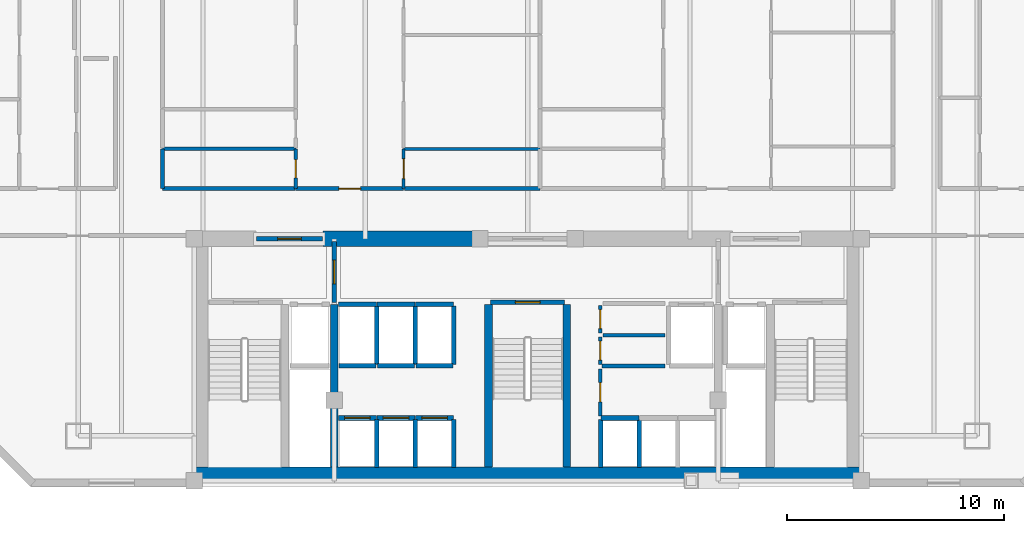
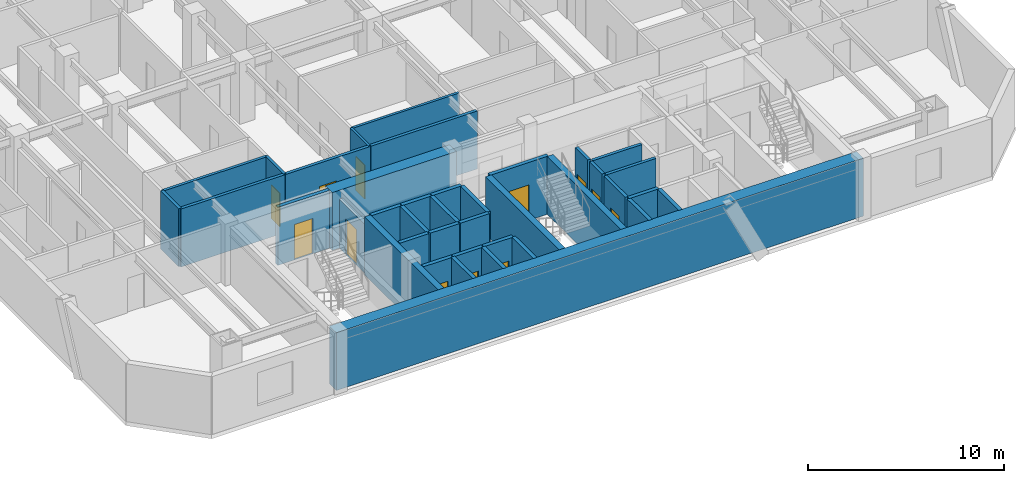
# One storey, part 3 of 10: 39 walls, 12 doors, 12 openings.
"""IFC4 building model written with IfcOpenShell, lengths in metres."""

from ifc_helpers import new_model, si_unit, direction, frame, frame_2d, origin, place, context, subcontext, project, spatial, rectangle, extrude, material, layer, layer_set, type_object, element, fill, save


model = new_model("IFC4")

# Units and contexts
model_context = context("Model", 3, precision=1e-05, world=origin(), true_north=direction((0.0, 1.0)))
body_context = subcontext(model_context, "Body", "Model", "MODEL_VIEW")
ifc_project = project(units=[si_unit("LENGTHUNIT", "METRE"), si_unit("AREAUNIT", "SQUARE_METRE"), si_unit("VOLUMEUNIT", "CUBIC_METRE"), si_unit("PLANEANGLEUNIT", "RADIAN"), si_unit("MASSUNIT", "GRAM", prefix="KILO")], contexts=[model_context])

# Site, building, storey
site_placement = place(None, origin())
site = spatial("IfcSite", under=ifc_project, at=site_placement, CompositionType="ELEMENT")
building_placement = place(site_placement, origin())
building = spatial("IfcBuilding", under=site, at=building_placement, Name="Ventersveld Concourse Tower", CompositionType="ELEMENT")
storey_placement = place(building_placement, frame((0.0, 0.0, 104.14990234375)))
storey = spatial("IfcBuildingStorey", under=building, at=storey_placement, Name="L25", CompositionType="ELEMENT", Elevation=104.14990234375)

# Walls
ifc_material_1 = material(Name="Concrete C60/75", Category="concrete")
ifc_layer_1 = layer(ifc_material_1, 0.35009765625)
ifc_layer_set_1 = layer_set([ifc_layer_1], Name="Concrete C60/75")
wall_type_1 = type_object("IfcWallType", Name="WL-CORE-350L", PredefinedType="SHEAR", material=ifc_layer_set_1)
for number, where, z_axis, x_axis, name in (
    (1, (19.820068359375, 0.919921875, 0.0), (0.0, 0.0, 1.0), (0.0, 1.0, 0.0), "L25 Core Internal Shear Web W-FF1-E"),
    (2, (26.93994140625, 0.919921875, 0.0), (0.0, 0.0, 1.0), (0.0, 1.0, 0.0), "L25 Core Internal Shear Web W-ST3-W"),
    (3, (30.56005859375, 0.919921875, 0.0), (0.0, 0.0, 1.0), (0.0, 1.0, 0.0), "L25 Core Internal Shear Web W-ST3-E"),
):
    element("IfcWall", number, at=place(storey_placement, frame(where, z_axis=z_axis, x_axis=x_axis)), inside=storey, type_object=wall_type_1, Name=name, PredefinedType="SHEAR", context=body_context, shape_type="SweptSolid", body=[
        extrude(rectangle(XDim=7.5, YDim=0.35009765625, at=frame_2d((3.75, 0.0))), origin(), (0.0, 0.0, 1.0), 3.60009765625),
    ])
ifc_layer_2 = layer(ifc_material_1, 0.699951171875)
ifc_layer_set_2 = layer_set([ifc_layer_2], Name="Concrete C60/75")
wall_type_2 = type_object("IfcWallType", Name="WL-CORE-700", PredefinedType="SHEAR", material=ifc_layer_set_2)
wall_1_placement = place(storey_placement, frame((13.25, 0.570068359375, 0.0), z_axis=(0.0, 0.0, 1.0), x_axis=(1.0, 0.0, 0.0)))
element("IfcWall", 4, at=wall_1_placement, inside=storey, type_object=wall_type_2, Name="L25 Rear Core South Shear Wall", PredefinedType="SHEAR", context=body_context, shape_type="SweptSolid", body=[
    extrude(rectangle(XDim=31.0, YDim=0.699951171875, at=frame_2d((15.5, 0.0))), origin(), (0.0, 0.0, 1.0), 3.60009765625),
])
wall_2_placement = place(storey_placement, frame((19.300048828125, 11.449951171875, 0.0), z_axis=(0.0, 0.0, 1.0), x_axis=(1.0, 0.0, 0.0)))
element("IfcWall", 5, at=wall_2_placement, inside=storey, type_object=wall_type_2, Name="L25 Rear Core North Shear Wall NML", PredefinedType="SHEAR", context=body_context, shape_type="SweptSolid", body=[
    extrude(rectangle(XDim=7.300048828125, YDim=0.699951171875, at=frame_2d((3.64990234375, 0.0))), origin(), (0.0, 0.0, 1.0), 3.60009765625),
])

# Wall, opening, door
ifc_material_2 = material(Name="Fire-rated autoclaved aerated masonry blockwork", Category="masonry")
ifc_layer_3 = layer(ifc_material_2, 0.179931640625)
ifc_layer_set_3 = layer_set([ifc_layer_3], Name="Fire-rated autoclaved aerated masonry blockwork")
wall_type_3 = type_object("IfcWallType", Name="WL-CORR-180", PredefinedType="PARTITIONING", material=ifc_layer_set_3)
wall_3_placement = place(storey_placement, frame((32.10009765625, 5.64990234375, 0.0), z_axis=(0.0, 0.0, 1.0), x_axis=(0.0, 1.0, 0.0)))
wall_3 = element("IfcWall", 6, at=wall_3_placement, inside=storey, type_object=wall_type_3, Name="L25 Core Passage Wall SP-L25-CBAY1S", PredefinedType="PARTITIONING", context=body_context, shape_type="SweptSolid", body=[
    extrude(rectangle(XDim=1.27001953125, YDim=0.179931640625, at=frame_2d((0.635009765625, 0.0))), origin(), (0.0, 0.0, 1.0), 3.60009765625),
])
opening_1_placement = place(wall_3_placement, frame((0.195068359375, 0.0, 0.0)))
opening_1 = element("IfcOpeningElement", 7, at=opening_1_placement, cuts=wall_3, Name="Opening FD5", PredefinedType="OPENING", context=body_context, shape_type="SweptSolid", body=[
    extrude(rectangle(XDim=0.8798828125, YDim=2.050048828125, at=frame_2d((0.43994140625, 1.02490234375))), frame((0.0, 0.10009765625, 0.0), z_axis=(0.0, -1.0, 0.0), x_axis=(1.0, 0.0, 0.0)), (0.0, 0.0, 1.0), 0.199951171875),
])
ifc_material_3 = material(Name="Galvanised painted steel", Category="steel")
door_type_1 = type_object("IfcDoorType", Name="DR-RISER-088", OperationType="NOTDEFINED", PredefinedType="DOOR", material=ifc_material_3)
door_1_placement = place(opening_1_placement, origin())
door_1 = element("IfcDoor", 8, at=door_1_placement, inside=storey, type_object=door_type_1, Name="L25 Core Room Door L25 Core Cleaner Store (CD-L25-1217)", OperationType="SINGLE_SWING_RIGHT", OverallHeight=2.050048828125, OverallWidth=0.8798828125, PredefinedType="DOOR", context=body_context, shape_type="SweptSolid", body=[
    extrude(rectangle(XDim=0.8798828125, YDim=2.050048828125, at=frame_2d((0.43994140625, 1.02490234375))), frame((0.0, 0.02490234375, 0.0), z_axis=(0.0, -1.0, 0.0), x_axis=(1.0, 0.0, 0.0)), (0.0, 0.0, 1.0), 0.050048828125),
])
fill(opening_1, door_1)

# Walls
wall_4_placement = place(storey_placement, frame((32.219970703125, 7.0, 0.0), z_axis=(0.0, 0.0, 1.0), x_axis=(1.0, 0.0, 0.0)))
element("IfcWall", 9, at=wall_4_placement, inside=storey, type_object=wall_type_3, Name="L25 Core Top Wall SP-L25-CBAY1S", PredefinedType="PARTITIONING", context=body_context, shape_type="SweptSolid", body=[
    extrude(rectangle(XDim=2.880126953125, YDim=0.179931640625, at=frame_2d((1.43994140625, 0.0))), origin(), (0.0, 0.0, 1.0), 3.60009765625),
])
wall_5_placement = place(storey_placement, frame((32.179931640625, 5.570068359375, 0.0), z_axis=(0.0, 0.0, 1.0), x_axis=(1.0, 0.0, 0.0)))
element("IfcWall", 10, at=wall_5_placement, inside=storey, type_object=wall_type_3, Name="L25 Core Bot Wall SP-L25-CBAY1S", PredefinedType="PARTITIONING", context=body_context, shape_type="SweptSolid", body=[
    extrude(rectangle(XDim=2.920166015625, YDim=0.179931640625, at=frame_2d((1.4599609375, 0.0))), origin(), (0.0, 0.0, 1.0), 3.60009765625),
])

# Wall, opening, door
wall_6_placement = place(storey_placement, frame((32.10009765625, 7.10009765625, 0.0), z_axis=(0.0, 0.0, 1.0), x_axis=(0.0, 1.0, 0.0)))
wall_6 = element("IfcWall", 11, at=wall_6_placement, inside=storey, type_object=wall_type_3, Name="L25 Core Passage Wall SP-L25-CBAY1N", PredefinedType="PARTITIONING", context=body_context, shape_type="SweptSolid", body=[
    extrude(rectangle(XDim=1.27978515625, YDim=0.179931640625, at=frame_2d((0.639892578125, 0.0))), origin(), (0.0, 0.0, 1.0), 3.60009765625),
])
opening_2_placement = place(wall_6_placement, frame((0.199951171875, 0.0, 0.0)))
opening_2 = element("IfcOpeningElement", 12, at=opening_2_placement, cuts=wall_6, Name="Opening FD5", PredefinedType="OPENING", context=body_context, shape_type="SweptSolid", body=[
    extrude(rectangle(XDim=0.8798828125, YDim=2.050048828125, at=frame_2d((0.43994140625, 1.02490234375))), frame((0.0, 0.10009765625, 0.0), z_axis=(0.0, -1.0, 0.0), x_axis=(1.0, 0.0, 0.0)), (0.0, 0.0, 1.0), 0.199951171875),
])
door_2_placement = place(opening_2_placement, origin())
door_2 = element("IfcDoor", 13, at=door_2_placement, inside=storey, type_object=door_type_1, Name="L25 Core Room Door L25 Core Concierge Desk Room (CD-L25-1218)", OperationType="SINGLE_SWING_LEFT", OverallHeight=2.050048828125, OverallWidth=0.8798828125, PredefinedType="DOOR", context=body_context, shape_type="SweptSolid", body=[
    extrude(rectangle(XDim=0.8798828125, YDim=2.050048828125, at=frame_2d((0.43994140625, 1.02490234375))), frame((0.0, 0.02490234375, 0.0), z_axis=(0.0, -1.0, 0.0), x_axis=(1.0, 0.0, 0.0)), (0.0, 0.0, 1.0), 0.050048828125),
])
fill(opening_2, door_2)

wall_7_placement = place(storey_placement, frame((32.10009765625, 3.280029296875, 0.0), z_axis=(0.0, 0.0, 1.0), x_axis=(0.0, 1.0, 0.0)))
wall_7 = element("IfcWall", 14, at=wall_7_placement, inside=storey, type_object=wall_type_3, Name="L25 Core Passage Wall SP-L25-CBAY2", PredefinedType="PARTITIONING", context=body_context, shape_type="SweptSolid", body=[
    extrude(rectangle(XDim=2.169921875, YDim=0.179931640625, at=frame_2d((1.0849609375, 0.0))), origin(), (0.0, 0.0, 1.0), 3.60009765625),
])
opening_3_placement = place(wall_7_placement, frame((0.64501953125, 0.0, 0.0)))
opening_3 = element("IfcOpeningElement", 15, at=opening_3_placement, cuts=wall_7, Name="Opening FD5", PredefinedType="OPENING", context=body_context, shape_type="SweptSolid", body=[
    extrude(rectangle(XDim=0.8798828125, YDim=2.050048828125, at=frame_2d((0.43994140625, 1.02490234375))), frame((0.0, 0.10009765625, 0.0), z_axis=(0.0, -1.0, 0.0), x_axis=(1.0, 0.0, 0.0)), (0.0, 0.0, 1.0), 0.199951171875),
])
door_3_placement = place(opening_3_placement, origin())
door_3 = element("IfcDoor", 16, at=door_3_placement, inside=storey, type_object=door_type_1, Name="L25 Core Room Door L25 Core Linen Alcove Store (CD-L25-1219)", OperationType="SINGLE_SWING_RIGHT", OverallHeight=2.050048828125, OverallWidth=0.8798828125, PredefinedType="DOOR", context=body_context, shape_type="SweptSolid", body=[
    extrude(rectangle(XDim=0.8798828125, YDim=2.050048828125, at=frame_2d((0.43994140625, 1.02490234375))), frame((0.0, 0.02490234375, 0.0), z_axis=(0.0, -1.0, 0.0), x_axis=(1.0, 0.0, 0.0)), (0.0, 0.0, 1.0), 0.050048828125),
])
fill(opening_3, door_3)

wall_8_placement = place(storey_placement, frame((18.035400390625, 13.77001953125, 0.0), z_axis=(0.0, 0.0, 1.0), x_axis=(1.0, 0.0, 0.0)))
wall_8 = element("IfcWall", 17, at=wall_8_placement, inside=storey, type_object=wall_type_3, Name="L25 Interior Partition SP-L25-COR-SP-L25-25N1-FOY", PredefinedType="PARTITIONING", context=body_context, shape_type="SweptSolid", body=[
    extrude(rectangle(XDim=4.989990234375, YDim=0.179931640625, at=frame_2d((2.4951171875, 0.0))), origin(), (0.0, 0.0, 1.0), 3.60009765625),
])
opening_4_placement = place(wall_8_placement, frame((1.9951171875, 0.0, 0.0)))
opening_4 = element("IfcOpeningElement", 18, at=opening_4_placement, cuts=wall_8, Name="Opening FD3", PredefinedType="OPENING", context=body_context, shape_type="SweptSolid", body=[
    extrude(rectangle(XDim=1.0, YDim=2.14990234375, at=frame_2d((0.5, 1.074951171875))), frame((0.0, 0.10009765625, 0.0), z_axis=(0.0, -1.0, 0.0), x_axis=(1.0, 0.0, 0.0)), (0.0, 0.0, 1.0), 0.199951171875),
])
ifc_material_4 = material(Name="Solid-core hardwood veneer timber", Category="wood")
door_type_2 = type_object("IfcDoorType", Name="DR-FLAT-100", OperationType="NOTDEFINED", PredefinedType="DOOR", material=ifc_material_4)
door_4_placement = place(opening_4_placement, origin())
door_4 = element("IfcDoor", 19, at=door_4_placement, inside=storey, type_object=door_type_2, Name="L25 Interior Door SP-L25-COR to SP-L25-25N1-FOY (FD-L25-1224)", OperationType="SINGLE_SWING_RIGHT", OverallHeight=2.14990234375, OverallWidth=1.0, PredefinedType="DOOR", context=body_context, shape_type="SweptSolid", body=[
    extrude(rectangle(XDim=1.0, YDim=2.14990234375, at=frame_2d((0.5, 1.074951171875))), frame((0.0, 0.02490234375, 0.0), z_axis=(0.0, -1.0, 0.0), x_axis=(1.0, 0.0, 0.0)), (0.0, 0.0, 1.0), 0.050048828125),
])
fill(opening_4, door_4)

# Walls
wall_9_placement = place(storey_placement, frame((11.885009765625, 13.77001953125, 0.0), z_axis=(0.0, 0.0, 1.0), x_axis=(1.0, 0.0, 0.0)))
element("IfcWall", 20, at=wall_9_placement, inside=storey, type_object=wall_type_3, Name="L25 Interior Partition SP-L25-COR-SP-L25-25N1-BATH", PredefinedType="PARTITIONING", context=body_context, shape_type="SweptSolid", body=[
    extrude(rectangle(XDim=6.120361328125, YDim=0.179931640625, at=frame_2d((3.06005859375, 0.0))), origin(), (0.0, 0.0, 1.0), 3.60009765625),
])
wall_10_placement = place(storey_placement, frame((11.889892578125, 13.764892578125, 0.0), z_axis=(0.0, 0.0, 1.0), x_axis=(0.0, 1.0, 0.0)))
element("IfcWall", 21, at=wall_10_placement, inside=storey, type_object=wall_type_3, Name="L25 Interior Partition SP-L25-COR-SP-L25-25N1-BATH", PredefinedType="PARTITIONING", context=body_context, shape_type="SweptSolid", body=[
    extrude(rectangle(XDim=1.840087890625, YDim=0.179931640625, at=frame_2d((0.919921875, 0.0))), origin(), (0.0, 0.0, 1.0), 3.60009765625),
])
wall_11_placement = place(storey_placement, frame((23.055419921875, 13.77001953125, 0.0), z_axis=(0.0, 0.0, 1.0), x_axis=(1.0, 0.0, 0.0)))
element("IfcWall", 22, at=wall_11_placement, inside=storey, type_object=wall_type_3, Name="L25 Interior Partition SP-L25-COR-SP-L25-25N1-KIT", PredefinedType="PARTITIONING", context=body_context, shape_type="SweptSolid", body=[
    extrude(rectangle(XDim=6.263671875, YDim=0.179931640625, at=frame_2d((3.1318359375, 0.0))), origin(), (0.0, 0.0, 1.0), 3.60009765625),
])
ifc_layer_4 = layer(ifc_material_2, 0.219970703125)
ifc_layer_set_4 = layer_set([ifc_layer_4], Name="Fire-rated autoclaved aerated masonry blockwork")
wall_type_4 = type_object("IfcWallType", Name="WL-HOIST-220", PredefinedType="SOLIDWALL", material=ifc_layer_set_4)
wall_12_placement = place(storey_placement, frame((21.780029296875, 0.89990234375, 0.0), z_axis=(0.0, 0.0, 1.0), x_axis=(0.0, 1.0, 0.0)))
element("IfcWall", 23, at=wall_12_placement, inside=storey, type_object=wall_type_4, Name="L25 Lift Hoistway Side Wall PL-01E", PredefinedType="SOLIDWALL", context=body_context, shape_type="SweptSolid", body=[
    extrude(rectangle(XDim=2.2001953125, YDim=0.219970703125, at=frame_2d((1.10009765625, 0.0))), origin(), (0.0, 0.0, 1.0), 3.60009765625),
])

# Wall, opening, door
wall_13_placement = place(storey_placement, frame((20.02001953125, 3.179931640625, 0.0), z_axis=(0.0, 0.0, 1.0), x_axis=(1.0, 0.0, 0.0)))
wall_13 = element("IfcWall", 24, at=wall_13_placement, inside=storey, type_object=wall_type_4, Name="L25 Lift Hoistway Front Wall PL-01", PredefinedType="SOLIDWALL", context=body_context, shape_type="SweptSolid", body=[
    extrude(rectangle(XDim=1.739990234375, YDim=0.219970703125, at=frame_2d((0.8701171875, 0.0))), origin(), (0.0, 0.0, 1.0), 3.60009765625),
])
opening_5_placement = place(wall_13_placement, frame((0.280029296875, 0.0, 0.0)))
opening_5 = element("IfcOpeningElement", 25, at=opening_5_placement, cuts=wall_13, Name="Opening LD2", PredefinedType="OPENING", context=body_context, shape_type="SweptSolid", body=[
    extrude(rectangle(XDim=1.179931640625, YDim=2.199951171875, at=frame_2d((0.58984375, 1.10009765625))), frame((0.0, 0.1201171875, 0.0), z_axis=(0.0, -1.0, 0.0), x_axis=(1.0, 0.0, 0.0)), (0.0, 0.0, 1.0), 0.239990234375),
])
ifc_material_5 = material(Name="Brushed stainless steel 316", Category="steel")
door_type_3 = type_object("IfcDoorType", Name="LD-PAX-118", OperationType="SLIDING_TO_LEFT", PredefinedType="DOOR", material=ifc_material_5)
door_5_placement = place(opening_5_placement, origin())
door_5 = element("IfcDoor", 26, at=door_5_placement, inside=storey, type_object=door_type_3, Name="L25 Lift landing door PL-01 (LD-L25-PL-01)", OperationType="SLIDING_TO_RIGHT", OverallHeight=2.199951171875, OverallWidth=1.179931640625, PredefinedType="DOOR", context=body_context, shape_type="SweptSolid", body=[
    extrude(rectangle(XDim=1.179931640625, YDim=2.199951171875, at=frame_2d((0.58984375, 1.10009765625))), frame((0.0, 0.02490234375, 0.0), z_axis=(0.0, -1.0, 0.0), x_axis=(1.0, 0.0, 0.0)), (0.0, 0.0, 1.0), 0.050048828125),
])
fill(opening_5, door_5)

# Wall
wall_14_placement = place(storey_placement, frame((23.56005859375, 0.89990234375, 0.0), z_axis=(0.0, 0.0, 1.0), x_axis=(0.0, 1.0, 0.0)))
element("IfcWall", 27, at=wall_14_placement, inside=storey, type_object=wall_type_4, Name="L25 Lift Hoistway Side Wall PL-02E", PredefinedType="SOLIDWALL", context=body_context, shape_type="SweptSolid", body=[
    extrude(rectangle(XDim=2.2001953125, YDim=0.219970703125, at=frame_2d((1.10009765625, 0.0))), origin(), (0.0, 0.0, 1.0), 3.60009765625),
])

# Wall, opening, door
wall_15_placement = place(storey_placement, frame((21.800048828125, 3.179931640625, 0.0), z_axis=(0.0, 0.0, 1.0), x_axis=(1.0, 0.0, 0.0)))
wall_15 = element("IfcWall", 28, at=wall_15_placement, inside=storey, type_object=wall_type_4, Name="L25 Lift Hoistway Front Wall PL-02", PredefinedType="SOLIDWALL", context=body_context, shape_type="SweptSolid", body=[
    extrude(rectangle(XDim=1.739990234375, YDim=0.219970703125, at=frame_2d((0.8701171875, 0.0))), origin(), (0.0, 0.0, 1.0), 3.60009765625),
])
opening_6_placement = place(wall_15_placement, frame((0.280029296875, 0.0, 0.0)))
opening_6 = element("IfcOpeningElement", 29, at=opening_6_placement, cuts=wall_15, Name="Opening LD2", PredefinedType="OPENING", context=body_context, shape_type="SweptSolid", body=[
    extrude(rectangle(XDim=1.179931640625, YDim=2.199951171875, at=frame_2d((0.58984375, 1.10009765625))), frame((0.0, 0.1201171875, 0.0), z_axis=(0.0, -1.0, 0.0), x_axis=(1.0, 0.0, 0.0)), (0.0, 0.0, 1.0), 0.239990234375),
])
door_6_placement = place(opening_6_placement, origin())
door_6 = element("IfcDoor", 30, at=door_6_placement, inside=storey, type_object=door_type_3, Name="L25 Lift landing door PL-02 (LD-L25-PL-02)", OperationType="SLIDING_TO_LEFT", OverallHeight=2.199951171875, OverallWidth=1.179931640625, PredefinedType="DOOR", context=body_context, shape_type="SweptSolid", body=[
    extrude(rectangle(XDim=1.179931640625, YDim=2.199951171875, at=frame_2d((0.58984375, 1.10009765625))), frame((0.0, 0.02490234375, 0.0), z_axis=(0.0, -1.0, 0.0), x_axis=(1.0, 0.0, 0.0)), (0.0, 0.0, 1.0), 0.050048828125),
])
fill(opening_6, door_6)

# Wall
wall_16_placement = place(storey_placement, frame((25.340087890625, 0.89990234375, 0.0), z_axis=(0.0, 0.0, 1.0), x_axis=(0.0, 1.0, 0.0)))
element("IfcWall", 31, at=wall_16_placement, inside=storey, type_object=wall_type_4, Name="L25 Lift Hoistway Side Wall PL-03E", PredefinedType="SOLIDWALL", context=body_context, shape_type="SweptSolid", body=[
    extrude(rectangle(XDim=2.2001953125, YDim=0.219970703125, at=frame_2d((1.10009765625, 0.0))), origin(), (0.0, 0.0, 1.0), 3.60009765625),
])

# Wall, opening, door
wall_17_placement = place(storey_placement, frame((23.580078125, 3.179931640625, 0.0), z_axis=(0.0, 0.0, 1.0), x_axis=(1.0, 0.0, 0.0)))
wall_17 = element("IfcWall", 32, at=wall_17_placement, inside=storey, type_object=wall_type_4, Name="L25 Lift Hoistway Front Wall PL-03", PredefinedType="SOLIDWALL", context=body_context, shape_type="SweptSolid", body=[
    extrude(rectangle(XDim=1.739990234375, YDim=0.219970703125, at=frame_2d((0.8701171875, 0.0))), origin(), (0.0, 0.0, 1.0), 3.60009765625),
])
opening_7_placement = place(wall_17_placement, frame((0.280029296875, 0.0, 0.0)))
opening_7 = element("IfcOpeningElement", 33, at=opening_7_placement, cuts=wall_17, Name="Opening LD2", PredefinedType="OPENING", context=body_context, shape_type="SweptSolid", body=[
    extrude(rectangle(XDim=1.179931640625, YDim=2.199951171875, at=frame_2d((0.58984375, 1.10009765625))), frame((0.0, 0.1201171875, 0.0), z_axis=(0.0, -1.0, 0.0), x_axis=(1.0, 0.0, 0.0)), (0.0, 0.0, 1.0), 0.239990234375),
])
door_7_placement = place(opening_7_placement, origin())
door_7 = element("IfcDoor", 34, at=door_7_placement, inside=storey, type_object=door_type_3, Name="L25 Lift landing door PL-03 (LD-L25-PL-03)", OperationType="SLIDING_TO_RIGHT", OverallHeight=2.199951171875, OverallWidth=1.179931640625, PredefinedType="DOOR", context=body_context, shape_type="SweptSolid", body=[
    extrude(rectangle(XDim=1.179931640625, YDim=2.199951171875, at=frame_2d((0.58984375, 1.10009765625))), frame((0.0, 0.02490234375, 0.0), z_axis=(0.0, -1.0, 0.0), x_axis=(1.0, 0.0, 0.0)), (0.0, 0.0, 1.0), 0.050048828125),
])
fill(opening_7, door_7)

# Walls
for number, where, z_axis, x_axis, name in (
    (35, (32.1201171875, 0.89990234375, 0.0), (0.0, 0.0, 1.0), (0.0, 1.0, 0.0), "L25 Lift Hoistway Side Wall PM-01W"),
    (36, (33.89990234375, 0.89990234375, 0.0), (0.0, 0.0, 1.0), (0.0, 1.0, 0.0), "L25 Lift Hoistway Side Wall PM-01E"),
):
    element("IfcWall", number, at=place(storey_placement, frame(where, z_axis=z_axis, x_axis=x_axis)), inside=storey, type_object=wall_type_4, Name=name, PredefinedType="SOLIDWALL", context=body_context, shape_type="SweptSolid", body=[
        extrude(rectangle(XDim=2.2001953125, YDim=0.219970703125, at=frame_2d((1.10009765625, 0.0))), origin(), (0.0, 0.0, 1.0), 3.60009765625),
    ])
wall_18_placement = place(storey_placement, frame((32.139892578125, 3.179931640625, 0.0), z_axis=(0.0, 0.0, 1.0), x_axis=(1.0, 0.0, 0.0)))
element("IfcWall", 37, at=wall_18_placement, inside=storey, type_object=wall_type_4, Name="L25 Lift Hoistway Front Wall PM-01", PredefinedType="SOLIDWALL", context=body_context, shape_type="SweptSolid", body=[
    extrude(rectangle(XDim=1.739990234375, YDim=0.219970703125, at=frame_2d((0.8701171875, 0.0))), origin(), (0.0, 0.0, 1.0), 3.60009765625),
])
wall_19_placement = place(storey_placement, frame((20.0400390625, 5.590087890625, 0.0), z_axis=(0.0, 0.0, 1.0), x_axis=(1.0, 0.0, 0.0)))
element("IfcWall", 38, at=wall_19_placement, inside=storey, type_object=wall_type_4, Name="L25 Lift Hoistway Back Wall PH-01", PredefinedType="SOLIDWALL", context=body_context, shape_type="SweptSolid", body=[
    extrude(rectangle(XDim=1.699951171875, YDim=0.219970703125, at=frame_2d((0.85009765625, 0.0))), origin(), (0.0, 0.0, 1.0), 3.60009765625),
])
wall_20_placement = place(storey_placement, frame((21.780029296875, 5.64990234375, 0.0), z_axis=(0.0, 0.0, 1.0), x_axis=(0.0, 1.0, 0.0)))
element("IfcWall", 39, at=wall_20_placement, inside=storey, type_object=wall_type_4, Name="L25 Lift Hoistway Side Wall PH-01E", PredefinedType="SOLIDWALL", context=body_context, shape_type="SweptSolid", body=[
    extrude(rectangle(XDim=2.7001953125, YDim=0.219970703125, at=frame_2d((1.35009765625, 0.0))), origin(), (0.0, 0.0, 1.0), 3.60009765625),
])
wall_21_placement = place(storey_placement, frame((20.02001953125, 8.429931640625, 0.0), z_axis=(0.0, 0.0, 1.0), x_axis=(1.0, 0.0, 0.0)))
element("IfcWall", 40, at=wall_21_placement, inside=storey, type_object=wall_type_4, Name="L25 Lift Hoistway Front Wall PH-01", PredefinedType="SOLIDWALL", context=body_context, shape_type="SweptSolid", body=[
    extrude(rectangle(XDim=1.739990234375, YDim=0.219970703125, at=frame_2d((0.8701171875, 0.0))), origin(), (0.0, 0.0, 1.0), 3.60009765625),
])
wall_22_placement = place(storey_placement, frame((21.820068359375, 5.590087890625, 0.0), z_axis=(0.0, 0.0, 1.0), x_axis=(1.0, 0.0, 0.0)))
element("IfcWall", 41, at=wall_22_placement, inside=storey, type_object=wall_type_4, Name="L25 Lift Hoistway Back Wall PH-02", PredefinedType="SOLIDWALL", context=body_context, shape_type="SweptSolid", body=[
    extrude(rectangle(XDim=1.699951171875, YDim=0.219970703125, at=frame_2d((0.85009765625, 0.0))), origin(), (0.0, 0.0, 1.0), 3.60009765625),
])
wall_23_placement = place(storey_placement, frame((23.56005859375, 5.64990234375, 0.0), z_axis=(0.0, 0.0, 1.0), x_axis=(0.0, 1.0, 0.0)))
element("IfcWall", 42, at=wall_23_placement, inside=storey, type_object=wall_type_4, Name="L25 Lift Hoistway Side Wall PH-02E", PredefinedType="SOLIDWALL", context=body_context, shape_type="SweptSolid", body=[
    extrude(rectangle(XDim=2.7001953125, YDim=0.219970703125, at=frame_2d((1.35009765625, 0.0))), origin(), (0.0, 0.0, 1.0), 3.60009765625),
])
wall_24_placement = place(storey_placement, frame((21.800048828125, 8.429931640625, 0.0), z_axis=(0.0, 0.0, 1.0), x_axis=(1.0, 0.0, 0.0)))
element("IfcWall", 43, at=wall_24_placement, inside=storey, type_object=wall_type_4, Name="L25 Lift Hoistway Front Wall PH-02", PredefinedType="SOLIDWALL", context=body_context, shape_type="SweptSolid", body=[
    extrude(rectangle(XDim=1.739990234375, YDim=0.219970703125, at=frame_2d((0.8701171875, 0.0))), origin(), (0.0, 0.0, 1.0), 3.60009765625),
])
wall_25_placement = place(storey_placement, frame((23.60009765625, 5.590087890625, 0.0), z_axis=(0.0, 0.0, 1.0), x_axis=(1.0, 0.0, 0.0)))
element("IfcWall", 44, at=wall_25_placement, inside=storey, type_object=wall_type_4, Name="L25 Lift Hoistway Back Wall PH-03", PredefinedType="SOLIDWALL", context=body_context, shape_type="SweptSolid", body=[
    extrude(rectangle(XDim=1.699951171875, YDim=0.219970703125, at=frame_2d((0.85009765625, 0.0))), origin(), (0.0, 0.0, 1.0), 3.60009765625),
])
wall_26_placement = place(storey_placement, frame((25.340087890625, 5.64990234375, 0.0), z_axis=(0.0, 0.0, 1.0), x_axis=(0.0, 1.0, 0.0)))
element("IfcWall", 45, at=wall_26_placement, inside=storey, type_object=wall_type_4, Name="L25 Lift Hoistway Side Wall PH-03E", PredefinedType="SOLIDWALL", context=body_context, shape_type="SweptSolid", body=[
    extrude(rectangle(XDim=2.7001953125, YDim=0.219970703125, at=frame_2d((1.35009765625, 0.0))), origin(), (0.0, 0.0, 1.0), 3.60009765625),
])
wall_27_placement = place(storey_placement, frame((23.580078125, 8.429931640625, 0.0), z_axis=(0.0, 0.0, 1.0), x_axis=(1.0, 0.0, 0.0)))
element("IfcWall", 46, at=wall_27_placement, inside=storey, type_object=wall_type_4, Name="L25 Lift Hoistway Front Wall PH-03", PredefinedType="SOLIDWALL", context=body_context, shape_type="SweptSolid", body=[
    extrude(rectangle(XDim=1.739990234375, YDim=0.219970703125, at=frame_2d((0.8701171875, 0.0))), origin(), (0.0, 0.0, 1.0), 3.60009765625),
])

# Wall, opening, door
wall_28_placement = place(storey_placement, frame((27.0400390625, 8.52001953125, 0.0), z_axis=(0.0, 0.0, 1.0), x_axis=(1.0, 0.0, 0.0)))
wall_28 = element("IfcWall", 47, at=wall_28_placement, inside=storey, type_object=wall_type_4, Name="L25 Escape Stair ST03 Fire Wall", PredefinedType="SOLIDWALL", context=body_context, shape_type="SweptSolid", body=[
    extrude(rectangle(XDim=3.419921875, YDim=0.219970703125, at=frame_2d((1.7099609375, 0.0))), origin(), (0.0, 0.0, 1.0), 3.60009765625),
])
opening_8_placement = place(wall_28_placement, frame((1.135009765625, 0.0, 0.0)))
opening_8 = element("IfcOpeningElement", 48, at=opening_8_placement, cuts=wall_28, Name="Opening FD1", PredefinedType="OPENING", context=body_context, shape_type="SweptSolid", body=[
    extrude(rectangle(XDim=1.14990234375, YDim=2.199951171875, at=frame_2d((0.574951171875, 1.10009765625))), frame((0.0, 0.1201171875, 0.0), z_axis=(0.0, -1.0, 0.0), x_axis=(1.0, 0.0, 0.0)), (0.0, 0.0, 1.0), 0.239990234375),
])
door_type_4 = type_object("IfcDoorType", Name="DR-STAIR-115", OperationType="NOTDEFINED", PredefinedType="DOOR", material=ifc_material_3)
door_8_placement = place(opening_8_placement, origin())
door_8 = element("IfcDoor", 49, at=door_8_placement, inside=storey, type_object=door_type_4, Name="L25 Escape Stair Door ST03 (SD-L25-1211)", OperationType="SINGLE_SWING_LEFT", OverallHeight=2.199951171875, OverallWidth=1.14990234375, PredefinedType="DOOR", context=body_context, shape_type="SweptSolid", body=[
    extrude(rectangle(XDim=1.14990234375, YDim=2.199951171875, at=frame_2d((0.574951171875, 1.10009765625))), frame((0.0, 0.02490234375, 0.0), z_axis=(0.0, -1.0, 0.0), x_axis=(1.0, 0.0, 0.0)), (0.0, 0.0, 1.0), 0.050048828125),
])
fill(opening_8, door_8)

wall_29_placement = place(storey_placement, frame((19.820068359375, 8.52001953125, 0.0), z_axis=(0.0, 0.0, 1.0), x_axis=(0.0, 1.0, 0.0)))
wall_29 = element("IfcWall", 50, at=wall_29_placement, inside=storey, type_object=wall_type_4, Name="L25 Firefighting Lobby Smoke-Stop Wall FFLW-SEP", PredefinedType="SOLIDWALL", context=body_context, shape_type="SweptSolid", body=[
    extrude(rectangle(XDim=2.800048828125, YDim=0.219970703125, at=frame_2d((1.39990234375, 0.0))), origin(), (0.0, 0.0, 1.0), 3.0556640625),
])
opening_9_placement = place(wall_29_placement, frame((0.85009765625, 0.0, 0.0)))
opening_9 = element("IfcOpeningElement", 51, at=opening_9_placement, cuts=wall_29, Name="Opening FD2", PredefinedType="OPENING", context=body_context, shape_type="SweptSolid", body=[
    extrude(rectangle(XDim=1.10009765625, YDim=2.199951171875, at=frame_2d((0.550048828125, 1.10009765625))), frame((0.0, 0.1201171875, 0.0), z_axis=(0.0, -1.0, 0.0), x_axis=(1.0, 0.0, 0.0)), (0.0, 0.0, 1.0), 0.239990234375),
])
door_type_5 = type_object("IfcDoorType", Name="DR-FFL-110", OperationType="NOTDEFINED", PredefinedType="DOOR", material=ifc_material_3)
door_9_placement = place(opening_9_placement, origin())
door_9 = element("IfcDoor", 52, at=door_9_placement, inside=storey, type_object=door_type_5, Name="L25 Firefighting Lobby Door FFLW-SEP (FD-L25-1212)", OperationType="SINGLE_SWING_LEFT", OverallHeight=2.199951171875, OverallWidth=1.10009765625, PredefinedType="DOOR", context=body_context, shape_type="SweptSolid", body=[
    extrude(rectangle(XDim=1.10009765625, YDim=2.199951171875, at=frame_2d((0.550048828125, 1.10009765625))), frame((0.0, 0.02490234375, 0.0), z_axis=(0.0, -1.0, 0.0), x_axis=(1.0, 0.0, 0.0)), (0.0, 0.0, 1.0), 0.050048828125),
])
fill(opening_9, door_9)

wall_30_placement = place(storey_placement, frame((16.22998046875, 11.449951171875, 0.0), z_axis=(0.0, 0.0, 1.0), x_axis=(1.0, 0.0, 0.0)))
wall_30 = element("IfcWall", 53, at=wall_30_placement, inside=storey, type_object=wall_type_4, Name="L25 Core North Fire Portal FFLW-OUT", PredefinedType="SOLIDWALL", context=body_context, shape_type="SweptSolid", body=[
    extrude(rectangle(XDim=3.0400390625, YDim=0.219970703125, at=frame_2d((1.52001953125, 0.0))), origin(), (0.0, 0.0, 1.0), 3.60009765625),
])
opening_10_placement = place(wall_30_placement, frame((0.969970703125, 0.0, 0.0)))
opening_10 = element("IfcOpeningElement", 54, at=opening_10_placement, cuts=wall_30, Name="Opening FD2", PredefinedType="OPENING", context=body_context, shape_type="SweptSolid", body=[
    extrude(rectangle(XDim=1.10009765625, YDim=2.199951171875, at=frame_2d((0.550048828125, 1.10009765625))), frame((0.0, 0.1201171875, 0.0), z_axis=(0.0, -1.0, 0.0), x_axis=(1.0, 0.0, 0.0)), (0.0, 0.0, 1.0), 0.239990234375),
])
door_10_placement = place(opening_10_placement, origin())
door_10 = element("IfcDoor", 55, at=door_10_placement, inside=storey, type_object=door_type_5, Name="L25 Core Lobby Fire Door FFLW-OUT (FD-L25-1214)", OperationType="SINGLE_SWING_RIGHT", OverallHeight=2.199951171875, OverallWidth=1.10009765625, PredefinedType="DOOR", context=body_context, shape_type="SweptSolid", body=[
    extrude(rectangle(XDim=1.10009765625, YDim=2.199951171875, at=frame_2d((0.550048828125, 1.10009765625))), frame((0.0, 0.02490234375, 0.0), z_axis=(0.0, -1.0, 0.0), x_axis=(1.0, 0.0, 0.0)), (0.0, 0.0, 1.0), 0.050048828125),
])
fill(opening_10, door_10)

ifc_material_6 = material(Name="Autoclaved aerated masonry blockwork", Category="masonry")
ifc_layer_5 = layer(ifc_material_6, 0.14990234375)
ifc_layer_set_5 = layer_set([ifc_layer_5], Name="Autoclaved aerated masonry blockwork")
wall_type_5 = type_object("IfcWallType", Name="WL-INT-150", PredefinedType="PARTITIONING", material=ifc_layer_set_5)
wall_31_placement = place(storey_placement, frame((23.020263671875, 13.764892578125, 0.0), z_axis=(0.0, 0.0, 1.0), x_axis=(0.0, 1.0, 0.0)))
wall_31 = element("IfcWall", 56, at=wall_31_placement, inside=storey, type_object=wall_type_5, Name="L25 Interior Partition SP-L25-25N1-FOY-SP-L25-25N1-KIT", PredefinedType="PARTITIONING", context=body_context, shape_type="SweptSolid", body=[
    extrude(rectangle(XDim=1.840087890625, YDim=0.14990234375, at=frame_2d((0.919921875, 0.0))), origin(), (0.0, 0.0, 1.0), 3.60009765625),
])
opening_11_placement = place(wall_31_placement, frame((0.4599609375, 0.0, 0.0)))
opening_11 = element("IfcOpeningElement", 57, at=opening_11_placement, cuts=wall_31, Name="Opening ID1", PredefinedType="OPENING", context=body_context, shape_type="SweptSolid", body=[
    extrude(rectangle(XDim=0.919921875, YDim=2.10009765625, at=frame_2d((0.4599609375, 1.050048828125))), frame((0.0, 0.0849609375, 0.0), z_axis=(0.0, -1.0, 0.0), x_axis=(1.0, 0.0, 0.0)), (0.0, 0.0, 1.0), 0.169921875),
])
door_type_6 = type_object("IfcDoorType", Name="DR-ROOM-092", OperationType="NOTDEFINED", PredefinedType="DOOR", material=ifc_material_4)
door_11_placement = place(opening_11_placement, origin())
door_11 = element("IfcDoor", 58, at=door_11_placement, inside=storey, type_object=door_type_6, Name="L25 Interior Door SP-L25-25N1-FOY to SP-L25-25N1-KIT (D-L25-1240)", OperationType="SINGLE_SWING_RIGHT", OverallHeight=2.10009765625, OverallWidth=0.919921875, PredefinedType="DOOR", context=body_context, shape_type="SweptSolid", body=[
    extrude(rectangle(XDim=0.919921875, YDim=2.10009765625, at=frame_2d((0.4599609375, 1.050048828125))), frame((0.0, 0.02490234375, 0.0), z_axis=(0.0, -1.0, 0.0), x_axis=(1.0, 0.0, 0.0)), (0.0, 0.0, 1.0), 0.050048828125),
])
fill(opening_11, door_11)

# Wall
wall_32_placement = place(storey_placement, frame((23.015380859375, 15.60009765625, 0.0), z_axis=(0.0, 0.0, 1.0), x_axis=(1.0, 0.0, 0.0)))
element("IfcWall", 59, at=wall_32_placement, inside=storey, type_object=wall_type_5, Name="L25 Interior Partition SP-L25-25N1-KIT-SP-L25-25N1-DENR", PredefinedType="PARTITIONING", context=body_context, shape_type="SweptSolid", body=[
    extrude(rectangle(XDim=6.3037109375, YDim=0.14990234375, at=frame_2d((3.15185546875, 0.0))), origin(), (0.0, 0.0, 1.0), 3.60009765625),
])

# Wall, opening, door
ifc_layer_6 = layer(ifc_material_6, 0.1650390625)
ifc_layer_set_6 = layer_set([ifc_layer_6], Name="Autoclaved aerated masonry blockwork")
wall_type_6 = type_object("IfcWallType", Name="WL-WET-165", PredefinedType="PLUMBINGWALL", material=ifc_layer_set_6)
wall_33_placement = place(storey_placement, frame((18.040283203125, 13.764892578125, 0.0), z_axis=(0.0, 0.0, 1.0), x_axis=(0.0, 1.0, 0.0)))
wall_33 = element("IfcWall", 60, at=wall_33_placement, inside=storey, type_object=wall_type_6, Name="L25 Interior Partition SP-L25-25N1-FOY-SP-L25-25N1-BATH", PredefinedType="PLUMBINGWALL", context=body_context, shape_type="SweptSolid", body=[
    extrude(rectangle(XDim=1.840087890625, YDim=0.1650390625, at=frame_2d((0.919921875, 0.0))), origin(), (0.0, 0.0, 1.0), 3.60009765625),
])
opening_12_placement = place(wall_33_placement, frame((0.4951171875, 0.0, 0.0)))
opening_12 = element("IfcOpeningElement", 61, at=opening_12_placement, cuts=wall_33, Name="Opening ID2", PredefinedType="OPENING", context=body_context, shape_type="SweptSolid", body=[
    extrude(rectangle(XDim=0.85009765625, YDim=2.10009765625, at=frame_2d((0.425048828125, 1.050048828125))), frame((0.0, 0.092529296875, 0.0), z_axis=(0.0, -1.0, 0.0), x_axis=(1.0, 0.0, 0.0)), (0.0, 0.0, 1.0), 0.18505859375),
])
door_type_7 = type_object("IfcDoorType", Name="DR-BATH-085", OperationType="NOTDEFINED", PredefinedType="DOOR", material=ifc_material_4)
door_12_placement = place(opening_12_placement, origin())
door_12 = element("IfcDoor", 62, at=door_12_placement, inside=storey, type_object=door_type_7, Name="L25 Interior Door SP-L25-25N1-FOY to SP-L25-25N1-BATH (D-L25-1237)", OperationType="SINGLE_SWING_LEFT", OverallHeight=2.10009765625, OverallWidth=0.85009765625, PredefinedType="DOOR", context=body_context, shape_type="SweptSolid", body=[
    extrude(rectangle(XDim=0.85009765625, YDim=2.10009765625, at=frame_2d((0.425048828125, 1.050048828125))), frame((0.0, 0.02490234375, 0.0), z_axis=(0.0, -1.0, 0.0), x_axis=(1.0, 0.0, 0.0)), (0.0, 0.0, 1.0), 0.050048828125),
])
fill(opening_12, door_12)

# Wall
wall_34_placement = place(storey_placement, frame((11.885009765625, 15.60009765625, 0.0), z_axis=(0.0, 0.0, 1.0), x_axis=(1.0, 0.0, 0.0)))
element("IfcWall", 63, at=wall_34_placement, inside=storey, type_object=wall_type_6, Name="L25 Interior Partition SP-L25-25N1-BATH-SP-L25-25N1-PWDL0", PredefinedType="PLUMBINGWALL", context=body_context, shape_type="SweptSolid", body=[
    extrude(rectangle(XDim=6.160400390625, YDim=0.1650390625, at=frame_2d((3.080078125, 0.0))), origin(), (0.0, 0.0, 1.0), 3.60009765625),
])

save(model, "model.ifc")
